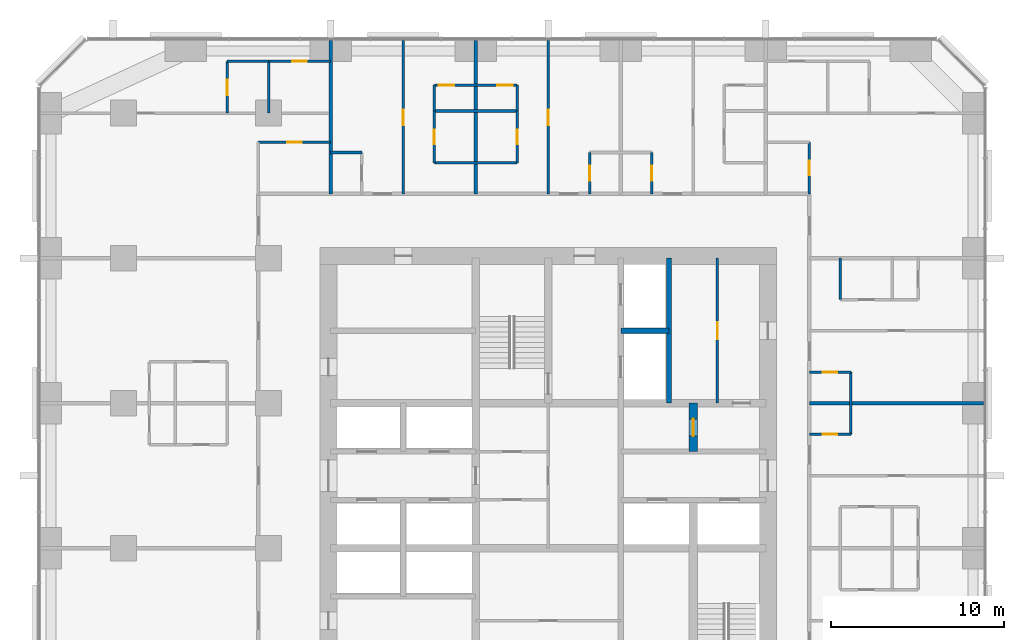
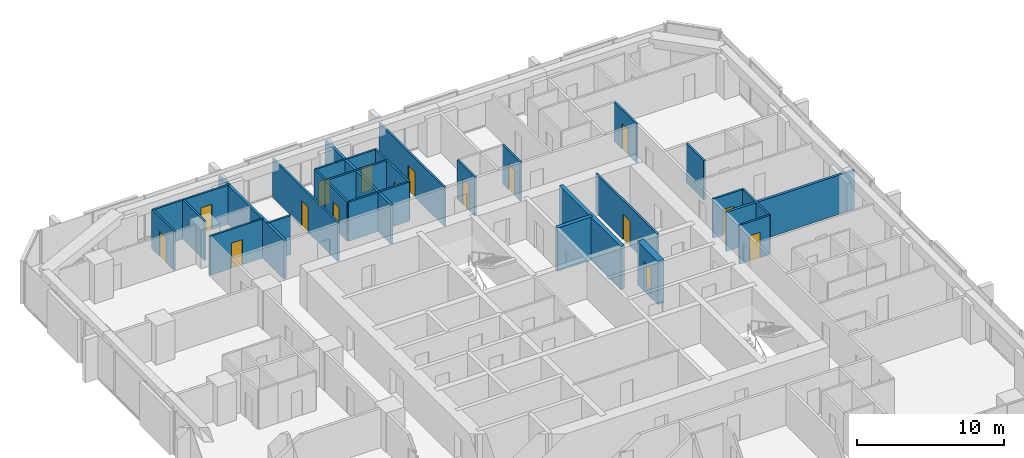
# One storey, part 12 of 14: 29 walls, 16 doors, 16 openings.
"""IFC4 building model written with IfcOpenShell, lengths in metres."""

from ifc_helpers import new_model, si_unit, direction, frame, frame_2d, origin, place, context, subcontext, project, spatial, rectangle, extrude, material, layer, layer_set, type_object, element, fill, save


model = new_model("IFC4")

# Units and contexts
model_context = context("Model", 3, precision=1e-05, world=origin(), true_north=direction((0.0, 1.0)))
body_context = subcontext(model_context, "Body", "Model", "MODEL_VIEW")
ifc_project = project(units=[si_unit("LENGTHUNIT", "METRE"), si_unit("AREAUNIT", "SQUARE_METRE"), si_unit("VOLUMEUNIT", "CUBIC_METRE"), si_unit("PLANEANGLEUNIT", "RADIAN"), si_unit("MASSUNIT", "GRAM", prefix="KILO")], contexts=[model_context])

# Site, building, storey
site_placement = place(None, origin())
site = spatial("IfcSite", under=ifc_project, at=site_placement, CompositionType="ELEMENT")
building_placement = place(site_placement, origin())
building = spatial("IfcBuilding", under=site, at=building_placement, Name="Dunama Terrace Hotel", CompositionType="ELEMENT")
storey_placement = place(building_placement, frame((0.0, 0.0, 122.39990234375)))
storey = spatial("IfcBuildingStorey", under=building, at=storey_placement, Name="L31", CompositionType="ELEMENT", Elevation=122.39990234375)

# Wall, opening, door
ifc_material_1 = material(Name="Gypsum board partition", Category="masonry")
ifc_layer_1 = layer(ifc_material_1, 0.14990234375)
ifc_layer_set_1 = layer_set([ifc_layer_1], Name="Bathroom partition 150")
wall_type_1 = type_object("IfcWallType", Name="Bathroom partition 150", PredefinedType="PARTITIONING", material=ifc_layer_set_1)
wall_1_placement = place(storey_placement, frame((22.800048828125, 47.52490234375, 0.0), z_axis=(0.0, 0.0, 1.0), x_axis=(0.0, 1.0, 0.0)))
wall_1 = element("IfcWall", 1, at=wall_1_placement, inside=storey, type_object=wall_type_1, Name="Bathroom partition 150 L31", PredefinedType="PARTITIONING", context=body_context, shape_type="SweptSolid", body=[
    extrude(rectangle(XDim=3.0, YDim=0.14990234375, at=frame_2d((1.5, 0.0))), origin(), (0.0, 0.0, 1.0), 3.25),
])
opening_1_placement = place(wall_1_placement, frame((1.074951171875, 0.0, 0.0)))
opening_1 = element("IfcOpeningElement", 2, at=opening_1_placement, cuts=wall_1, Name="Opening L31-33-041", PredefinedType="OPENING", context=body_context, shape_type="SweptSolid", body=[
    extrude(rectangle(XDim=0.85009765625, YDim=2.10009765625, at=frame_2d((0.425048828125, 1.050048828125))), frame((0.0, 0.0849609375, 0.0), z_axis=(0.0, -1.0, 0.0), x_axis=(1.0, 0.0, 0.0)), (0.0, 0.0, 1.0), 0.169921875),
])
ifc_material_2 = material(Name="Timber door with steel frame", Category="steel")
door_type_1 = type_object("IfcDoorType", Name="Bathroom door 850", OperationType="SINGLE_SWING_LEFT", PredefinedType="DOOR", material=ifc_material_2)
door_1_placement = place(opening_1_placement, frame((0.85009765625, 0.0, 0.0), z_axis=(0.0, 0.0, 1.0), x_axis=(-1.0, 0.0, 0.0)))
door_1 = element("IfcDoor", 3, at=door_1_placement, inside=storey, type_object=door_type_1, Name="Door to en-suite bathroom L31-33-041, type D2", OperationType="SINGLE_SWING_LEFT", OverallHeight=2.10009765625, OverallWidth=0.85009765625, PredefinedType="DOOR", context=body_context, shape_type="SweptSolid", body=[
    extrude(rectangle(XDim=0.85009765625, YDim=2.10009765625, at=frame_2d((0.425048828125, 1.050048828125))), frame((0.0, 0.025146484375, 0.0), z_axis=(0.0, -1.0, 0.0), x_axis=(1.0, 0.0, 0.0)), (0.0, 0.0, 1.0), 0.050048828125),
])
fill(opening_1, door_1)

wall_2_placement = place(storey_placement, frame((27.60009765625, 47.52490234375, 0.0), z_axis=(0.0, 0.0, 1.0), x_axis=(0.0, 1.0, 0.0)))
wall_2 = element("IfcWall", 4, at=wall_2_placement, inside=storey, type_object=wall_type_1, Name="Bathroom partition 150 L31", PredefinedType="PARTITIONING", context=body_context, shape_type="SweptSolid", body=[
    extrude(rectangle(XDim=3.0, YDim=0.14990234375, at=frame_2d((1.5, 0.0))), origin(), (0.0, 0.0, 1.0), 3.25),
])
opening_2_placement = place(wall_2_placement, frame((1.074951171875, 0.0, 0.0)))
opening_2 = element("IfcOpeningElement", 5, at=opening_2_placement, cuts=wall_2, Name="Opening L31-33-046", PredefinedType="OPENING", context=body_context, shape_type="SweptSolid", body=[
    extrude(rectangle(XDim=0.85009765625, YDim=2.10009765625, at=frame_2d((0.425048828125, 1.050048828125))), frame((0.0, 0.0849609375, 0.0), z_axis=(0.0, -1.0, 0.0), x_axis=(1.0, 0.0, 0.0)), (0.0, 0.0, 1.0), 0.169921875),
])
door_2_placement = place(opening_2_placement, origin())
door_2 = element("IfcDoor", 6, at=door_2_placement, inside=storey, type_object=door_type_1, Name="Door to en-suite bathroom L31-33-046, type D2", OperationType="SINGLE_SWING_RIGHT", OverallHeight=2.10009765625, OverallWidth=0.85009765625, PredefinedType="DOOR", context=body_context, shape_type="SweptSolid", body=[
    extrude(rectangle(XDim=0.85009765625, YDim=2.10009765625, at=frame_2d((0.425048828125, 1.050048828125))), frame((0.0, 0.02490234375, 0.0), z_axis=(0.0, -1.0, 0.0), x_axis=(1.0, 0.0, 0.0)), (0.0, 0.0, 1.0), 0.050048828125),
])
fill(opening_2, door_2)

wall_3_placement = place(storey_placement, frame((31.800048828125, 45.72509765625, 0.0), z_axis=(0.0, 0.0, 1.0), x_axis=(0.0, 1.0, 0.0)))
wall_3 = element("IfcWall", 7, at=wall_3_placement, inside=storey, type_object=wall_type_1, Name="Bathroom partition 150 L31", PredefinedType="PARTITIONING", context=body_context, shape_type="SweptSolid", body=[
    extrude(rectangle(XDim=2.39990234375, YDim=0.14990234375, at=frame_2d((1.199951171875, 0.0))), origin(), (0.0, 0.0, 1.0), 3.25),
])
opening_3_placement = place(wall_3_placement, frame((0.77490234375, 0.0, 0.0)))
opening_3 = element("IfcOpeningElement", 8, at=opening_3_placement, cuts=wall_3, Name="Opening L31-33-044", PredefinedType="OPENING", context=body_context, shape_type="SweptSolid", body=[
    extrude(rectangle(XDim=0.85009765625, YDim=2.10009765625, at=frame_2d((0.425048828125, 1.050048828125))), frame((0.0, 0.0849609375, 0.0), z_axis=(0.0, -1.0, 0.0), x_axis=(1.0, 0.0, 0.0)), (0.0, 0.0, 1.0), 0.169921875),
])
door_3_placement = place(opening_3_placement, frame((0.85009765625, 0.0, 0.0), z_axis=(0.0, 0.0, 1.0), x_axis=(-1.0, 0.0, 0.0)))
door_3 = element("IfcDoor", 9, at=door_3_placement, inside=storey, type_object=door_type_1, Name="Door to powder room L31-33-044, type D2", OperationType="SINGLE_SWING_RIGHT", OverallHeight=2.10009765625, OverallWidth=0.85009765625, PredefinedType="DOOR", context=body_context, shape_type="SweptSolid", body=[
    extrude(rectangle(XDim=0.85009765625, YDim=2.10009765625, at=frame_2d((0.425048828125, 1.050048828125))), frame((0.0, 0.025146484375, 0.0), z_axis=(0.0, -1.0, 0.0), x_axis=(1.0, 0.0, 0.0)), (0.0, 0.0, 1.0), 0.050048828125),
])
fill(opening_3, door_3)

wall_4_placement = place(storey_placement, frame((35.39990234375, 45.72509765625, 0.0), z_axis=(0.0, 0.0, 1.0), x_axis=(0.0, 1.0, 0.0)))
wall_4 = element("IfcWall", 10, at=wall_4_placement, inside=storey, type_object=wall_type_1, Name="Bathroom partition 150 L31", PredefinedType="PARTITIONING", context=body_context, shape_type="SweptSolid", body=[
    extrude(rectangle(XDim=2.39990234375, YDim=0.14990234375, at=frame_2d((1.199951171875, 0.0))), origin(), (0.0, 0.0, 1.0), 3.25),
])
opening_4_placement = place(wall_4_placement, frame((0.77490234375, 0.0, 0.0)))
opening_4 = element("IfcOpeningElement", 11, at=opening_4_placement, cuts=wall_4, Name="Opening L31-33-049", PredefinedType="OPENING", context=body_context, shape_type="SweptSolid", body=[
    extrude(rectangle(XDim=0.85009765625, YDim=2.10009765625, at=frame_2d((0.425048828125, 1.050048828125))), frame((0.0, 0.0849609375, 0.0), z_axis=(0.0, -1.0, 0.0), x_axis=(1.0, 0.0, 0.0)), (0.0, 0.0, 1.0), 0.169921875),
])
door_4_placement = place(opening_4_placement, origin())
door_4 = element("IfcDoor", 12, at=door_4_placement, inside=storey, type_object=door_type_1, Name="Door to powder room L31-33-049, type D2", OperationType="SINGLE_SWING_LEFT", OverallHeight=2.10009765625, OverallWidth=0.85009765625, PredefinedType="DOOR", context=body_context, shape_type="SweptSolid", body=[
    extrude(rectangle(XDim=0.85009765625, YDim=2.10009765625, at=frame_2d((0.425048828125, 1.050048828125))), frame((0.0, 0.02490234375, 0.0), z_axis=(0.0, -1.0, 0.0), x_axis=(1.0, 0.0, 0.0)), (0.0, 0.0, 1.0), 0.050048828125),
])
fill(opening_4, door_4)

wall_5_placement = place(storey_placement, frame((44.52490234375, 45.72509765625, 0.0), z_axis=(0.0, 0.0, 1.0), x_axis=(0.0, 1.0, 0.0)))
wall_5 = element("IfcWall", 13, at=wall_5_placement, inside=storey, type_object=wall_type_1, Name="Bathroom partition 150 L31", PredefinedType="PARTITIONING", context=body_context, shape_type="SweptSolid", body=[
    extrude(rectangle(XDim=3.0, YDim=0.14990234375, at=frame_2d((1.5, 0.0))), origin(), (0.0, 0.0, 1.0), 3.25),
])
opening_5_placement = place(wall_5_placement, frame((1.074951171875, 0.0, 0.0)))
opening_5 = element("IfcOpeningElement", 14, at=opening_5_placement, cuts=wall_5, Name="Opening L31-33-073", PredefinedType="OPENING", context=body_context, shape_type="SweptSolid", body=[
    extrude(rectangle(XDim=0.85009765625, YDim=2.10009765625, at=frame_2d((0.425048828125, 1.050048828125))), frame((0.0, 0.0849609375, 0.0), z_axis=(0.0, -1.0, 0.0), x_axis=(1.0, 0.0, 0.0)), (0.0, 0.0, 1.0), 0.169921875),
])
door_5_placement = place(opening_5_placement, origin())
door_5 = element("IfcDoor", 15, at=door_5_placement, inside=storey, type_object=door_type_1, Name="Door to powder room L31-33-073, type D2", OperationType="SINGLE_SWING_LEFT", OverallHeight=2.10009765625, OverallWidth=0.85009765625, PredefinedType="DOOR", context=body_context, shape_type="SweptSolid", body=[
    extrude(rectangle(XDim=0.85009765625, YDim=2.10009765625, at=frame_2d((0.425048828125, 1.050048828125))), frame((0.0, 0.02490234375, 0.0), z_axis=(0.0, -1.0, 0.0), x_axis=(1.0, 0.0, 0.0)), (0.0, 0.0, 1.0), 0.050048828125),
])
fill(opening_5, door_5)

# Walls
wall_6_placement = place(storey_placement, frame((46.324951171875, 39.60009765625, 0.0), z_axis=(0.0, 0.0, 1.0), x_axis=(0.0, 1.0, 0.0)))
element("IfcWall", 16, at=wall_6_placement, inside=storey, type_object=wall_type_1, Name="Bathroom partition 150 L31", PredefinedType="PARTITIONING", context=body_context, shape_type="SweptSolid", body=[
    extrude(rectangle(XDim=2.39990234375, YDim=0.14990234375, at=frame_2d((1.199951171875, 0.0))), origin(), (0.0, 0.0, 1.0), 3.25),
])
wall_7_placement = place(storey_placement, frame((46.925048828125, 31.800048828125, 0.0), z_axis=(0.0, 0.0, 1.0), x_axis=(0.0, 1.0, 0.0)))
element("IfcWall", 17, at=wall_7_placement, inside=storey, type_object=wall_type_1, Name="Bathroom partition 150 L31", PredefinedType="PARTITIONING", context=body_context, shape_type="SweptSolid", body=[
    extrude(rectangle(XDim=3.599853515625, YDim=0.14990234375, at=frame_2d((1.7998046875, 0.0))), origin(), (0.0, 0.0, 1.0), 3.25),
])

# Wall, opening, door
wall_8_placement = place(storey_placement, frame((44.52490234375, 31.800048828125, 0.0), z_axis=(0.0, 0.0, 1.0), x_axis=(1.0, 0.0, 0.0)))
wall_8 = element("IfcWall", 18, at=wall_8_placement, inside=storey, type_object=wall_type_1, Name="Bathroom partition 150 L31", PredefinedType="PARTITIONING", context=body_context, shape_type="SweptSolid", body=[
    extrude(rectangle(XDim=2.400146484375, YDim=0.14990234375, at=frame_2d((1.2001953125, 0.0))), origin(), (0.0, 0.0, 1.0), 3.25),
])
opening_6_placement = place(wall_8_placement, frame((0.77490234375, 0.0, 0.0)))
opening_6 = element("IfcOpeningElement", 19, at=opening_6_placement, cuts=wall_8, Name="Opening L31-33-029", PredefinedType="OPENING", context=body_context, shape_type="SweptSolid", body=[
    extrude(rectangle(XDim=0.85009765625, YDim=2.10009765625, at=frame_2d((0.425048828125, 1.050048828125))), frame((0.0, 0.0849609375, 0.0), z_axis=(0.0, -1.0, 0.0), x_axis=(1.0, 0.0, 0.0)), (0.0, 0.0, 1.0), 0.169921875),
])
door_6_placement = place(opening_6_placement, origin())
door_6 = element("IfcDoor", 20, at=door_6_placement, inside=storey, type_object=door_type_1, Name="Door to powder room L31-33-029, type D2", OperationType="SINGLE_SWING_LEFT", OverallHeight=2.10009765625, OverallWidth=0.85009765625, PredefinedType="DOOR", context=body_context, shape_type="SweptSolid", body=[
    extrude(rectangle(XDim=0.85009765625, YDim=2.10009765625, at=frame_2d((0.425048828125, 1.050048828125))), frame((0.0, 0.02490234375, 0.0), z_axis=(0.0, -1.0, 0.0), x_axis=(1.0, 0.0, 0.0)), (0.0, 0.0, 1.0), 0.050048828125),
])
fill(opening_6, door_6)

wall_9_placement = place(storey_placement, frame((44.52490234375, 35.39990234375, 0.0), z_axis=(0.0, 0.0, 1.0), x_axis=(1.0, 0.0, 0.0)))
wall_9 = element("IfcWall", 21, at=wall_9_placement, inside=storey, type_object=wall_type_1, Name="Bathroom partition 150 L31", PredefinedType="PARTITIONING", context=body_context, shape_type="SweptSolid", body=[
    extrude(rectangle(XDim=2.400146484375, YDim=0.14990234375, at=frame_2d((1.2001953125, 0.0))), origin(), (0.0, 0.0, 1.0), 3.25),
])
opening_7_placement = place(wall_9_placement, frame((0.77490234375, 0.0, 0.0)))
opening_7 = element("IfcOpeningElement", 22, at=opening_7_placement, cuts=wall_9, Name="Opening L31-33-034", PredefinedType="OPENING", context=body_context, shape_type="SweptSolid", body=[
    extrude(rectangle(XDim=0.85009765625, YDim=2.10009765625, at=frame_2d((0.425048828125, 1.050048828125))), frame((0.0, 0.0849609375, 0.0), z_axis=(0.0, -1.0, 0.0), x_axis=(1.0, 0.0, 0.0)), (0.0, 0.0, 1.0), 0.169921875),
])
door_7_placement = place(opening_7_placement, frame((0.85009765625, 0.0, 0.0), z_axis=(0.0, 0.0, 1.0), x_axis=(-1.0, 0.0, 0.0)))
door_7 = element("IfcDoor", 23, at=door_7_placement, inside=storey, type_object=door_type_1, Name="Door to powder room L31-33-034, type D2", OperationType="SINGLE_SWING_RIGHT", OverallHeight=2.10009765625, OverallWidth=0.85009765625, PredefinedType="DOOR", context=body_context, shape_type="SweptSolid", body=[
    extrude(rectangle(XDim=0.85009765625, YDim=2.10009765625, at=frame_2d((0.425048828125, 1.050048828125))), frame((0.0, 0.025146484375, 0.0), z_axis=(0.0, -1.0, 0.0), x_axis=(1.0, 0.0, 0.0)), (0.0, 0.0, 1.0), 0.050048828125),
])
fill(opening_7, door_7)

# Walls
wall_10_placement = place(storey_placement, frame((22.800048828125, 47.52490234375, 0.0), z_axis=(0.0, 0.0, 1.0), x_axis=(1.0, 0.0, 0.0)))
element("IfcWall", 24, at=wall_10_placement, inside=storey, type_object=wall_type_1, Name="Bathroom partition 150 L31", PredefinedType="PARTITIONING", context=body_context, shape_type="SweptSolid", body=[
    extrude(rectangle(XDim=4.800048828125, YDim=0.14990234375, at=frame_2d((2.39990234375, 0.0))), origin(), (0.0, 0.0, 1.0), 3.25),
])
wall_11_placement = place(storey_placement, frame((16.800048828125, 48.125, 0.0), z_axis=(0.0, 0.0, 1.0), x_axis=(1.0, 0.0, 0.0)))
element("IfcWall", 25, at=wall_11_placement, inside=storey, type_object=wall_type_1, Name="Bathroom partition 150 L31", PredefinedType="PARTITIONING", context=body_context, shape_type="SweptSolid", body=[
    extrude(rectangle(XDim=1.800048828125, YDim=0.14990234375, at=frame_2d((0.89990234375, 0.0))), origin(), (0.0, 0.0, 1.0), 3.25),
])

# Wall, opening, door
wall_12_placement = place(storey_placement, frame((12.60009765625, 48.72509765625, 0.0), z_axis=(0.0, 0.0, 1.0), x_axis=(1.0, 0.0, 0.0)))
wall_12 = element("IfcWall", 26, at=wall_12_placement, inside=storey, type_object=wall_type_1, Name="Bathroom partition 150 L31", PredefinedType="PARTITIONING", context=body_context, shape_type="SweptSolid", body=[
    extrude(rectangle(XDim=4.199951171875, YDim=0.14990234375, at=frame_2d((2.10009765625, 0.0))), origin(), (0.0, 0.0, 1.0), 3.25),
])
opening_8_placement = place(wall_12_placement, frame((1.675048828125, 0.0, 0.0)))
opening_8 = element("IfcOpeningElement", 27, at=opening_8_placement, cuts=wall_12, Name="Opening L31-33-078", PredefinedType="OPENING", context=body_context, shape_type="SweptSolid", body=[
    extrude(rectangle(XDim=0.85009765625, YDim=2.10009765625, at=frame_2d((0.425048828125, 1.050048828125))), frame((0.0, 0.0849609375, 0.0), z_axis=(0.0, -1.0, 0.0), x_axis=(1.0, 0.0, 0.0)), (0.0, 0.0, 1.0), 0.169921875),
])
door_8_placement = place(opening_8_placement, frame((0.85009765625, 0.0, 0.0), z_axis=(0.0, 0.0, 1.0), x_axis=(-1.0, 0.0, 0.0)))
door_8 = element("IfcDoor", 28, at=door_8_placement, inside=storey, type_object=door_type_1, Name="Door to powder room L31-33-078, type D2", OperationType="SINGLE_SWING_RIGHT", OverallHeight=2.10009765625, OverallWidth=0.85009765625, PredefinedType="DOOR", context=body_context, shape_type="SweptSolid", body=[
    extrude(rectangle(XDim=0.85009765625, YDim=2.10009765625, at=frame_2d((0.425048828125, 1.050048828125))), frame((0.0, 0.025146484375, 0.0), z_axis=(0.0, -1.0, 0.0), x_axis=(1.0, 0.0, 0.0)), (0.0, 0.0, 1.0), 0.050048828125),
])
fill(opening_8, door_8)

wall_13_placement = place(storey_placement, frame((13.199951171875, 53.39990234375, 0.0), z_axis=(0.0, 0.0, 1.0), x_axis=(1.0, 0.0, 0.0)))
wall_13 = element("IfcWall", 29, at=wall_13_placement, inside=storey, type_object=wall_type_1, Name="Bathroom partition 150 L31", PredefinedType="PARTITIONING", context=body_context, shape_type="SweptSolid", body=[
    extrude(rectangle(XDim=3.60009765625, YDim=0.14990234375, at=frame_2d((1.800048828125, 0.0))), origin(), (0.0, 0.0, 1.0), 3.25),
])
opening_9_placement = place(wall_13_placement, frame((1.375, 0.0, 0.0)))
opening_9 = element("IfcOpeningElement", 30, at=opening_9_placement, cuts=wall_13, Name="Opening L31-33-080", PredefinedType="OPENING", context=body_context, shape_type="SweptSolid", body=[
    extrude(rectangle(XDim=0.85009765625, YDim=2.10009765625, at=frame_2d((0.425048828125, 1.050048828125))), frame((0.0, 0.0849609375, 0.0), z_axis=(0.0, -1.0, 0.0), x_axis=(1.0, 0.0, 0.0)), (0.0, 0.0, 1.0), 0.169921875),
])
door_9_placement = place(opening_9_placement, frame((0.85009765625, 0.0, 0.0), z_axis=(0.0, 0.0, 1.0), x_axis=(-1.0, 0.0, 0.0)))
door_9 = element("IfcDoor", 31, at=door_9_placement, inside=storey, type_object=door_type_1, Name="Door to en-suite bathroom L31-33-080, type D2", OperationType="SINGLE_SWING_LEFT", OverallHeight=2.10009765625, OverallWidth=0.85009765625, PredefinedType="DOOR", context=body_context, shape_type="SweptSolid", body=[
    extrude(rectangle(XDim=0.85009765625, YDim=2.10009765625, at=frame_2d((0.425048828125, 1.050048828125))), frame((0.0, 0.025146484375, 0.0), z_axis=(0.0, -1.0, 0.0), x_axis=(1.0, 0.0, 0.0)), (0.0, 0.0, 1.0), 0.050048828125),
])
fill(opening_9, door_9)

# Walls
ifc_material_3 = material(Name="Concrete C50/60", Category="concrete")
ifc_layer_2 = layer(ifc_material_3, 0.300048828125)
ifc_layer_set_2 = layer_set([ifc_layer_2], Name="Core inner wall 300")
wall_type_2 = type_object("IfcWallType", Name="Core inner wall 300", PredefinedType="SHEAR", material=ifc_layer_set_2)
wall_14_placement = place(storey_placement, frame((36.39990234375, 33.60009765625, -0.349853515625), z_axis=(0.0, 0.0, 1.0), x_axis=(0.0, 1.0, 0.0)))
element("IfcWall", 32, at=wall_14_placement, inside=storey, type_object=wall_type_2, Name="Core inner wall 300 L31", PredefinedType="SHEAR", context=body_context, shape_type="SweptSolid", body=[
    extrude(rectangle(XDim=8.39990234375, YDim=0.300048828125, at=frame_2d((4.199951171875, 0.0))), origin(), (0.0, 0.0, 1.0), 3.599853515625),
])
wall_15_placement = place(storey_placement, frame((33.60009765625, 37.800048828125, -0.349853515625), z_axis=(0.0, 0.0, 1.0), x_axis=(1.0, 0.0, 0.0)))
element("IfcWall", 33, at=wall_15_placement, inside=storey, type_object=wall_type_2, Name="Core inner wall 300 L31", PredefinedType="SHEAR", context=body_context, shape_type="SweptSolid", body=[
    extrude(rectangle(XDim=2.7998046875, YDim=0.300048828125, at=frame_2d((1.39990234375, 0.0))), origin(), (0.0, 0.0, 1.0), 3.599853515625),
])

# Wall, opening, door
ifc_material_4 = material(Name="Concrete C50/60", Category="concrete")
ifc_layer_3 = layer(ifc_material_4, 0.5)
ifc_layer_set_3 = layer_set([ifc_layer_3], Name="Core inner wall 500")
wall_type_3 = type_object("IfcWallType", Name="Core inner wall 500", PredefinedType="SHEAR", material=ifc_layer_set_3)
wall_16_placement = place(storey_placement, frame((37.800048828125, 30.800048828125, -0.349853515625), z_axis=(0.0, 0.0, 1.0), x_axis=(0.0, 1.0, 0.0)))
wall_16 = element("IfcWall", 34, at=wall_16_placement, inside=storey, type_object=wall_type_3, Name="Core inner wall 500 L31", PredefinedType="SHEAR", context=body_context, shape_type="SweptSolid", body=[
    extrude(rectangle(XDim=2.800048828125, YDim=0.5, at=frame_2d((1.39990234375, 0.0))), origin(), (0.0, 0.0, 1.0), 3.599853515625),
])
opening_10_placement = place(wall_16_placement, frame((0.89990234375, 0.0, 0.35009765625)))
opening_10 = element("IfcOpeningElement", 35, at=opening_10_placement, cuts=wall_16, Name="Opening L31-33-090", PredefinedType="OPENING", context=body_context, shape_type="SweptSolid", body=[
    extrude(rectangle(XDim=1.0, YDim=2.10009765625, at=frame_2d((0.5, 1.050048828125))), frame((0.0, 0.260009765625, 0.0), z_axis=(0.0, -1.0, 0.0), x_axis=(1.0, 0.0, 0.0)), (0.0, 0.0, 1.0), 0.52001953125),
])
ifc_material_5 = material(Name="Timber door with steel frame", Category="steel")
door_type_2 = type_object("IfcDoorType", Name="Service door 1000", OperationType="SINGLE_SWING_LEFT", PredefinedType="DOOR", material=ifc_material_5)
door_10_placement = place(opening_10_placement, frame((1.0, 0.0, 0.0), z_axis=(0.0, 0.0, 1.0), x_axis=(-1.0, 0.0, 0.0)))
door_10 = element("IfcDoor", 36, at=door_10_placement, inside=storey, type_object=door_type_2, Name="Door to service riser L31-33-090, type D7", OperationType="SINGLE_SWING_LEFT", OverallHeight=2.10009765625, OverallWidth=1.0, PredefinedType="DOOR", context=body_context, shape_type="SweptSolid", body=[
    extrude(rectangle(XDim=1.0, YDim=2.10009765625, at=frame_2d((0.5, 1.050048828125))), frame((0.0, 0.025146484375, 0.0), z_axis=(0.0, -1.0, 0.0), x_axis=(1.0, 0.0, 0.0)), (0.0, 0.0, 1.0), 0.050048828125),
])
fill(opening_10, door_10)

# Walls
ifc_material_6 = material(Name="Concrete blockwork", Category="masonry")
ifc_layer_4 = layer(ifc_material_6, 0.199951171875)
ifc_layer_set_4 = layer_set([ifc_layer_4], Name="Party wall 200")
wall_type_4 = type_object("IfcWallType", Name="Party wall 200", PredefinedType="PARTITIONING", material=ifc_layer_set_4)
for number, where, z_axis, x_axis, name in (
    (37, (16.800048828125, 45.72509765625, 0.0), (0.0, 0.0, 1.0), (0.0, 1.0, 0.0), "Party wall 200 L31"),
    (38, (25.199951171875, 45.72509765625, 0.0), (0.0, 0.0, 1.0), (0.0, 1.0, 0.0), "Party wall 200 L31"),
):
    element("IfcWall", number, at=place(storey_placement, frame(where, z_axis=z_axis, x_axis=x_axis)), inside=storey, type_object=wall_type_4, Name=name, PredefinedType="PARTITIONING", context=body_context, shape_type="SweptSolid", body=[
        extrude(rectangle(XDim=8.892822265625, YDim=0.199951171875, at=frame_2d((4.4462890625, 0.0))), origin(), (0.0, 0.0, 1.0), 3.25),
    ])
wall_17_placement = place(storey_placement, frame((44.52490234375, 33.60009765625, 0.0), z_axis=(0.0, 0.0, 1.0), x_axis=(1.0, 0.0, 0.0)))
element("IfcWall", 39, at=wall_17_placement, inside=storey, type_object=wall_type_4, Name="Party wall 200 L31", PredefinedType="PARTITIONING", context=body_context, shape_type="SweptSolid", body=[
    extrude(rectangle(XDim=10.093017578125, YDim=0.199951171875, at=frame_2d((5.04638671875, 0.0))), origin(), (0.0, 0.0, 1.0), 3.25),
])

# Wall, opening, door
ifc_material_7 = material(Name="Gypsum board partition", Category="masonry")
ifc_layer_5 = layer(ifc_material_7, 0.14990234375)
ifc_layer_set_5 = layer_set([ifc_layer_5], Name="Room partition 150")
wall_type_5 = type_object("IfcWallType", Name="Room partition 150", PredefinedType="PARTITIONING", material=ifc_layer_set_5)
wall_18_placement = place(storey_placement, frame((10.800048828125, 50.39990234375, 0.0), z_axis=(0.0, 0.0, 1.0), x_axis=(0.0, 1.0, 0.0)))
wall_18 = element("IfcWall", 40, at=wall_18_placement, inside=storey, type_object=wall_type_5, Name="Room partition 150 L31", PredefinedType="PARTITIONING", context=body_context, shape_type="SweptSolid", body=[
    extrude(rectangle(XDim=3.0, YDim=0.14990234375, at=frame_2d((1.5, 0.0))), origin(), (0.0, 0.0, 1.0), 3.25),
])
opening_11_placement = place(wall_18_placement, frame((1.050048828125, 0.0, 0.0)))
opening_11 = element("IfcOpeningElement", 41, at=opening_11_placement, cuts=wall_18, Name="Opening L31-33-081", PredefinedType="OPENING", context=body_context, shape_type="SweptSolid", body=[
    extrude(rectangle(XDim=0.89990234375, YDim=2.10009765625, at=frame_2d((0.449951171875, 1.050048828125))), frame((0.0, 0.0849609375, 0.0), z_axis=(0.0, -1.0, 0.0), x_axis=(1.0, 0.0, 0.0)), (0.0, 0.0, 1.0), 0.169921875),
])
ifc_material_8 = material(Name="Timber door with steel frame", Category="steel")
door_type_3 = type_object("IfcDoorType", Name="Suite internal door 900", OperationType="SINGLE_SWING_LEFT", PredefinedType="DOOR", material=ifc_material_8)
door_11_placement = place(opening_11_placement, frame((0.89990234375, 0.0, 0.0), z_axis=(0.0, 0.0, 1.0), x_axis=(-1.0, 0.0, 0.0)))
door_11 = element("IfcDoor", 42, at=door_11_placement, inside=storey, type_object=door_type_3, Name="Door to dressing room L31-33-081, type D16", OperationType="SINGLE_SWING_RIGHT", OverallHeight=2.10009765625, OverallWidth=0.89990234375, PredefinedType="DOOR", context=body_context, shape_type="SweptSolid", body=[
    extrude(rectangle(XDim=0.89990234375, YDim=2.10009765625, at=frame_2d((0.449951171875, 1.050048828125))), frame((0.0, 0.025146484375, 0.0), z_axis=(0.0, -1.0, 0.0), x_axis=(1.0, 0.0, 0.0)), (0.0, 0.0, 1.0), 0.050048828125),
])
fill(opening_11, door_11)

# Wall
wall_19_placement = place(storey_placement, frame((13.199951171875, 50.39990234375, 0.0), z_axis=(0.0, 0.0, 1.0), x_axis=(0.0, 1.0, 0.0)))
element("IfcWall", 43, at=wall_19_placement, inside=storey, type_object=wall_type_5, Name="Room partition 150 L31", PredefinedType="PARTITIONING", context=body_context, shape_type="SweptSolid", body=[
    extrude(rectangle(XDim=3.0, YDim=0.14990234375, at=frame_2d((1.5, 0.0))), origin(), (0.0, 0.0, 1.0), 3.25),
])

# Wall, opening, door
wall_20_placement = place(storey_placement, frame((21.0, 45.72509765625, 0.0), z_axis=(0.0, 0.0, 1.0), x_axis=(0.0, 1.0, 0.0)))
wall_20 = element("IfcWall", 44, at=wall_20_placement, inside=storey, type_object=wall_type_5, Name="Room partition 150 L31", PredefinedType="PARTITIONING", context=body_context, shape_type="SweptSolid", body=[
    extrude(rectangle(XDim=8.892822265625, YDim=0.14990234375, at=frame_2d((4.4462890625, 0.0))), origin(), (0.0, 0.0, 1.0), 3.25),
])
opening_12_placement = place(wall_20_placement, frame((3.987060546875, 0.0, 0.0)))
opening_12 = element("IfcOpeningElement", 45, at=opening_12_placement, cuts=wall_20, Name="Opening L31-33-040", PredefinedType="OPENING", context=body_context, shape_type="SweptSolid", body=[
    extrude(rectangle(XDim=0.89990234375, YDim=2.10009765625, at=frame_2d((0.449951171875, 1.050048828125))), frame((0.0, 0.0849609375, 0.0), z_axis=(0.0, -1.0, 0.0), x_axis=(1.0, 0.0, 0.0)), (0.0, 0.0, 1.0), 0.169921875),
])
door_12_placement = place(opening_12_placement, frame((0.89990234375, 0.0, 0.0), z_axis=(0.0, 0.0, 1.0), x_axis=(-1.0, 0.0, 0.0)))
door_12 = element("IfcDoor", 46, at=door_12_placement, inside=storey, type_object=door_type_3, Name="Door to premier suite bedroom L31-33-040, type D16", OperationType="SINGLE_SWING_RIGHT", OverallHeight=2.10009765625, OverallWidth=0.89990234375, PredefinedType="DOOR", context=body_context, shape_type="SweptSolid", body=[
    extrude(rectangle(XDim=0.89990234375, YDim=2.10009765625, at=frame_2d((0.449951171875, 1.050048828125))), frame((0.0, 0.025146484375, 0.0), z_axis=(0.0, -1.0, 0.0), x_axis=(1.0, 0.0, 0.0)), (0.0, 0.0, 1.0), 0.050048828125),
])
fill(opening_12, door_12)

# Walls
for number, where, z_axis, x_axis, name in (
    (47, (22.800048828125, 50.52490234375, 0.0), (0.0, 0.0, 1.0), (0.0, 1.0, 0.0), "Room partition 150 L31"),
    (48, (27.60009765625, 50.52490234375, 0.0), (0.0, 0.0, 1.0), (0.0, 1.0, 0.0), "Room partition 150 L31"),
):
    element("IfcWall", number, at=place(storey_placement, frame(where, z_axis=z_axis, x_axis=x_axis)), inside=storey, type_object=wall_type_5, Name=name, PredefinedType="PARTITIONING", context=body_context, shape_type="SweptSolid", body=[
        extrude(rectangle(XDim=1.5, YDim=0.14990234375, at=frame_2d((0.75, 0.0))), origin(), (0.0, 0.0, 1.0), 3.25),
    ])

# Wall, opening, door
wall_21_placement = place(storey_placement, frame((29.39990234375, 45.72509765625, 0.0), z_axis=(0.0, 0.0, 1.0), x_axis=(0.0, 1.0, 0.0)))
wall_21 = element("IfcWall", 49, at=wall_21_placement, inside=storey, type_object=wall_type_5, Name="Room partition 150 L31", PredefinedType="PARTITIONING", context=body_context, shape_type="SweptSolid", body=[
    extrude(rectangle(XDim=8.892822265625, YDim=0.14990234375, at=frame_2d((4.4462890625, 0.0))), origin(), (0.0, 0.0, 1.0), 3.25),
])
opening_13_placement = place(wall_21_placement, frame((3.987060546875, 0.0, 0.0)))
opening_13 = element("IfcOpeningElement", 50, at=opening_13_placement, cuts=wall_21, Name="Opening L31-33-045", PredefinedType="OPENING", context=body_context, shape_type="SweptSolid", body=[
    extrude(rectangle(XDim=0.89990234375, YDim=2.10009765625, at=frame_2d((0.449951171875, 1.050048828125))), frame((0.0, 0.0849609375, 0.0), z_axis=(0.0, -1.0, 0.0), x_axis=(1.0, 0.0, 0.0)), (0.0, 0.0, 1.0), 0.169921875),
])
door_13_placement = place(opening_13_placement, origin())
door_13 = element("IfcDoor", 51, at=door_13_placement, inside=storey, type_object=door_type_3, Name="Door to premier suite bedroom L31-33-045, type D16", OperationType="SINGLE_SWING_LEFT", OverallHeight=2.10009765625, OverallWidth=0.89990234375, PredefinedType="DOOR", context=body_context, shape_type="SweptSolid", body=[
    extrude(rectangle(XDim=0.89990234375, YDim=2.10009765625, at=frame_2d((0.449951171875, 1.050048828125))), frame((0.0, 0.02490234375, 0.0), z_axis=(0.0, -1.0, 0.0), x_axis=(1.0, 0.0, 0.0)), (0.0, 0.0, 1.0), 0.050048828125),
])
fill(opening_13, door_13)

wall_22_placement = place(storey_placement, frame((39.199951171875, 33.60009765625, 0.0), z_axis=(0.0, 0.0, 1.0), x_axis=(0.0, 1.0, 0.0)))
wall_22 = element("IfcWall", 52, at=wall_22_placement, inside=storey, type_object=wall_type_5, Name="Room partition 150 L31", PredefinedType="PARTITIONING", context=body_context, shape_type="SweptSolid", body=[
    extrude(rectangle(XDim=8.39990234375, YDim=0.14990234375, at=frame_2d((4.199951171875, 0.0))), origin(), (0.0, 0.0, 1.0), 3.25),
])
opening_14_placement = place(wall_22_placement, frame((3.699951171875, 0.0, 0.0)))
opening_14 = element("IfcOpeningElement", 53, at=opening_14_placement, cuts=wall_22, Name="Opening L31-33-095", PredefinedType="OPENING", context=body_context, shape_type="SweptSolid", body=[
    extrude(rectangle(XDim=1.0, YDim=2.10009765625, at=frame_2d((0.5, 1.050048828125))), frame((0.0, 0.0849609375, 0.0), z_axis=(0.0, -1.0, 0.0), x_axis=(1.0, 0.0, 0.0)), (0.0, 0.0, 1.0), 0.169921875),
])
door_14_placement = place(opening_14_placement, frame((1.0, 0.0, 0.0), z_axis=(0.0, 0.0, 1.0), x_axis=(-1.0, 0.0, 0.0)))
door_14 = element("IfcDoor", 54, at=door_14_placement, inside=storey, type_object=door_type_2, Name="Door to luggage store L31-33-095, type D7", OperationType="SINGLE_SWING_RIGHT", OverallHeight=2.10009765625, OverallWidth=1.0, PredefinedType="DOOR", context=body_context, shape_type="SweptSolid", body=[
    extrude(rectangle(XDim=1.0, YDim=2.10009765625, at=frame_2d((0.5, 1.050048828125))), frame((0.0, 0.025146484375, 0.0), z_axis=(0.0, -1.0, 0.0), x_axis=(1.0, 0.0, 0.0)), (0.0, 0.0, 1.0), 0.050048828125),
])
fill(opening_14, door_14)

# Wall
wall_23_placement = place(storey_placement, frame((22.800048828125, 50.52490234375, 0.0), z_axis=(0.0, 0.0, 1.0), x_axis=(1.0, 0.0, 0.0)))
element("IfcWall", 55, at=wall_23_placement, inside=storey, type_object=wall_type_5, Name="Room partition 150 L31", PredefinedType="PARTITIONING", context=body_context, shape_type="SweptSolid", body=[
    extrude(rectangle(XDim=4.800048828125, YDim=0.14990234375, at=frame_2d((2.39990234375, 0.0))), origin(), (0.0, 0.0, 1.0), 3.25),
])

# Wall, openings, doors
wall_24_placement = place(storey_placement, frame((22.800048828125, 52.02490234375, 0.0), z_axis=(0.0, 0.0, 1.0), x_axis=(1.0, 0.0, 0.0)))
wall_24 = element("IfcWall", 56, at=wall_24_placement, inside=storey, type_object=wall_type_5, Name="Room partition 150 L31", PredefinedType="PARTITIONING", context=body_context, shape_type="SweptSolid", body=[
    extrude(rectangle(XDim=4.800048828125, YDim=0.14990234375, at=frame_2d((2.39990234375, 0.0))), origin(), (0.0, 0.0, 1.0), 3.25),
])
opening_15_placement = place(wall_24_placement, frame((0.25, 0.0, 0.0)))
opening_15 = element("IfcOpeningElement", 57, at=opening_15_placement, cuts=wall_24, Name="Opening L31-33-042", PredefinedType="OPENING", context=body_context, shape_type="SweptSolid", body=[
    extrude(rectangle(XDim=0.89990234375, YDim=2.10009765625, at=frame_2d((0.449951171875, 1.050048828125))), frame((0.0, 0.0849609375, 0.0), z_axis=(0.0, -1.0, 0.0), x_axis=(1.0, 0.0, 0.0)), (0.0, 0.0, 1.0), 0.169921875),
])
opening_16_placement = place(wall_24_placement, frame((3.64990234375, 0.0, 0.0)))
opening_16 = element("IfcOpeningElement", 58, at=opening_16_placement, cuts=wall_24, Name="Opening L31-33-047", PredefinedType="OPENING", context=body_context, shape_type="SweptSolid", body=[
    extrude(rectangle(XDim=0.89990234375, YDim=2.10009765625, at=frame_2d((0.449951171875, 1.050048828125))), frame((0.0, 0.0849609375, 0.0), z_axis=(0.0, -1.0, 0.0), x_axis=(1.0, 0.0, 0.0)), (0.0, 0.0, 1.0), 0.169921875),
])
door_15_placement = place(opening_15_placement, frame((0.89990234375, 0.0, 0.0), z_axis=(0.0, 0.0, 1.0), x_axis=(-1.0, 0.0, 0.0)))
door_15 = element("IfcDoor", 59, at=door_15_placement, inside=storey, type_object=door_type_3, Name="Door to walk-in wardrobe L31-33-042, type D16", OperationType="SINGLE_SWING_RIGHT", OverallHeight=2.10009765625, OverallWidth=0.89990234375, PredefinedType="DOOR", context=body_context, shape_type="SweptSolid", body=[
    extrude(rectangle(XDim=0.89990234375, YDim=2.10009765625, at=frame_2d((0.449951171875, 1.050048828125))), frame((0.0, 0.025146484375, 0.0), z_axis=(0.0, -1.0, 0.0), x_axis=(1.0, 0.0, 0.0)), (0.0, 0.0, 1.0), 0.050048828125),
])
fill(opening_15, door_15)
door_16_placement = place(opening_16_placement, frame((0.89990234375, 0.0, 0.0), z_axis=(0.0, 0.0, 1.0), x_axis=(-1.0, 0.0, 0.0)))
door_16 = element("IfcDoor", 60, at=door_16_placement, inside=storey, type_object=door_type_3, Name="Door to walk-in wardrobe L31-33-047, type D16", OperationType="SINGLE_SWING_LEFT", OverallHeight=2.10009765625, OverallWidth=0.89990234375, PredefinedType="DOOR", context=body_context, shape_type="SweptSolid", body=[
    extrude(rectangle(XDim=0.89990234375, YDim=2.10009765625, at=frame_2d((0.449951171875, 1.050048828125))), frame((0.0, 0.025146484375, 0.0), z_axis=(0.0, -1.0, 0.0), x_axis=(1.0, 0.0, 0.0)), (0.0, 0.0, 1.0), 0.050048828125),
])
fill(opening_16, door_16)

# Wall
wall_25_placement = place(storey_placement, frame((10.800048828125, 53.39990234375, 0.0), z_axis=(0.0, 0.0, 1.0), x_axis=(1.0, 0.0, 0.0)))
element("IfcWall", 61, at=wall_25_placement, inside=storey, type_object=wall_type_5, Name="Room partition 150 L31", PredefinedType="PARTITIONING", context=body_context, shape_type="SweptSolid", body=[
    extrude(rectangle(XDim=2.39990234375, YDim=0.14990234375, at=frame_2d((1.199951171875, 0.0))), origin(), (0.0, 0.0, 1.0), 3.25),
])

save(model, "model.ifc")
